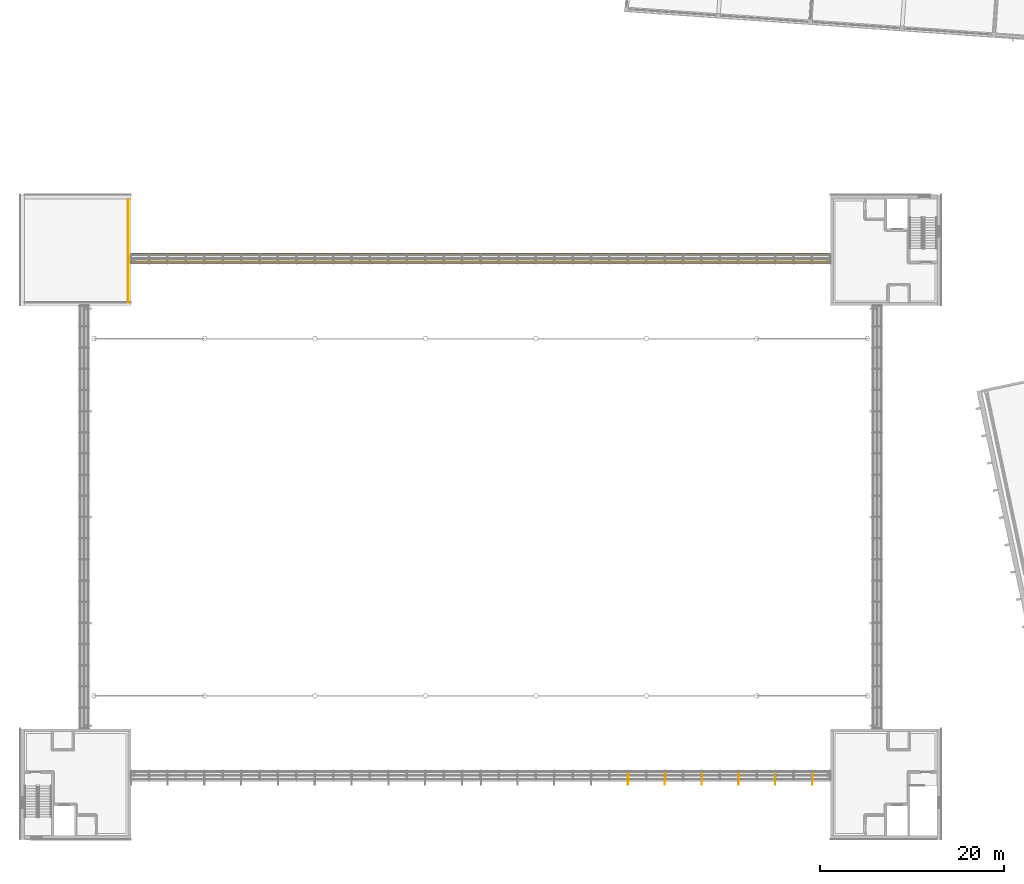
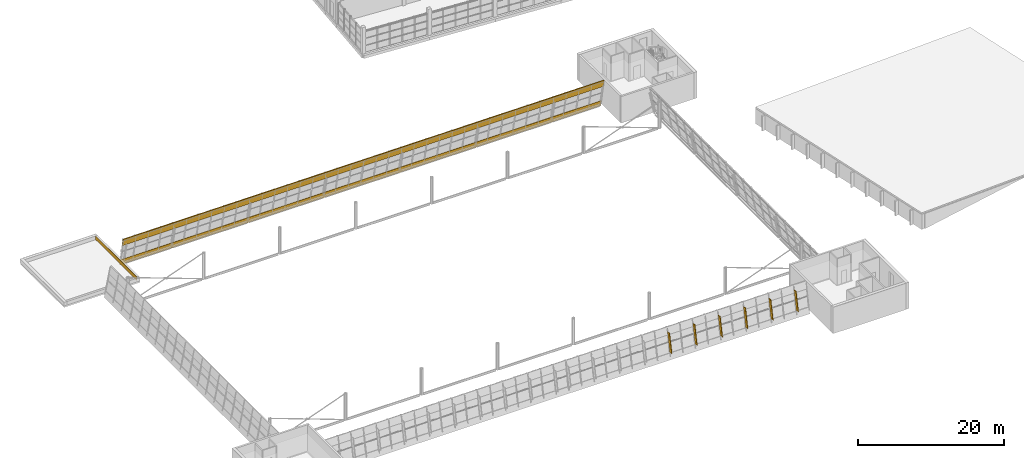
# One storey, part 45 of 50: 6 shading devices, 3 coverings.
"""IFC4 building model written with IfcOpenShell, lengths in metres."""

import ifcopenshell
import ifcopenshell.guid

model = None  # the IFC model being written
_history = None  # IfcOwnerHistory: only IFC2X3 demands one
_inside = {}  # id of a spatial element -> (the spatial element, [elements in it])
_under = {}  # id of a project, library or spatial element -> (it, [spatial elements below it])
_declared = {}  # id of a project -> (the project, [libraries it declares])
_typed = {}  # id of a type object -> (the type object, [elements of that type])
_made_of = {}  # id of a material, layer set ... -> (it, [elements and type objects made of it])


def new_model(schema):
    """Start an empty IFC model of exactly this schema.

    Asked for "IFC4X3", IfcOpenShell would pick the latest addendum, in which some entities
    have other attributes; the version numbers below select the first issue.
    IFC2X3 requires an IfcOwnerHistory on every rooted entity: one is made here for all.
    """
    global model, _history
    if schema == "IFC4X3":
        model = ifcopenshell.file(schema_version=(4, 3, 0, 0))
    else:
        model = ifcopenshell.file(schema=schema)
    _inside.clear()
    _under.clear()
    _declared.clear()
    _typed.clear()
    _made_of.clear()
    _history = None
    if model.schema == "IFC2X3":
        org = make("IfcOrganization", Name="unknown")
        user = make(
            "IfcPersonAndOrganization",
            ThePerson=make("IfcPerson", FamilyName="unknown"),
            TheOrganization=org,
        )
        app = make(
            "IfcApplication",
            ApplicationDeveloper=org,
            Version="unknown",
            ApplicationFullName="unknown",
            ApplicationIdentifier="unknown",
        )
        _history = make(
            "IfcOwnerHistory",
            OwningUser=user,
            OwningApplication=app,
            ChangeAction="ADDED",
            CreationDate=0,
        )
    return model


def make(cls, **values):
    """One entity of the class cls with the attributes given. An attribute that is None is left unset."""
    return model.create_entity(
        cls, **{name: value for name, value in values.items() if value is not None}
    )


def rooted(cls, **values):
    """An entity with a GlobalId (a new one), such as an element, a storey or a relation."""
    return make(cls, GlobalId=ifcopenshell.guid.new(), OwnerHistory=_history, **values)


def si_unit(unit_type, name, prefix=None):
    """IfcSIUnit, for example si_unit("LENGTHUNIT", "METRE", prefix="MILLI")."""
    return make("IfcSIUnit", UnitType=unit_type, Prefix=prefix, Name=name)


def assignment(units):
    """IfcUnitAssignment: the units of a project."""
    return None if units is None else make("IfcUnitAssignment", Units=units)


def point(xyz):
    """IfcCartesianPoint."""
    return None if xyz is None else make("IfcCartesianPoint", Coordinates=xyz)


def direction(xyz):
    """IfcDirection."""
    return None if xyz is None else make("IfcDirection", DirectionRatios=xyz)


def frame(location, z_axis=None, x_axis=None):
    """IfcAxis2Placement3D, a coordinate frame: its origin and axes. An axis left out is left unset."""
    return make(
        "IfcAxis2Placement3D",
        Location=point(location),
        Axis=direction(z_axis),
        RefDirection=direction(x_axis),
    )


def frame_2d(location, x_axis=None):
    """IfcAxis2Placement2D, a coordinate frame in the plane: its origin and x axis."""
    return make(
        "IfcAxis2Placement2D", Location=point(location), RefDirection=direction(x_axis)
    )


def origin():
    """The frame at (0, 0, 0) with its axes left unset."""
    return frame((0.0, 0.0, 0.0))


def origin_2d():
    """The frame at (0, 0) in the plane with its x axis left unset."""
    return frame_2d((0.0, 0.0))


def place(relative_to, where):
    """IfcLocalPlacement: puts the frame where relative to a parent placement (None: the world)."""
    return make(
        "IfcLocalPlacement", PlacementRelTo=relative_to, RelativePlacement=where
    )


def context(
    kind, dimensions, precision=None, world=None, true_north=None, identifier=None
):
    """IfcGeometricRepresentationContext, for example the 3D "Model" context."""
    return make(
        "IfcGeometricRepresentationContext",
        ContextIdentifier=identifier,
        ContextType=kind,
        CoordinateSpaceDimension=dimensions,
        Precision=precision,
        WorldCoordinateSystem=world,
        TrueNorth=true_north,
    )


def subcontext(parent, identifier, kind, view, scale=None):
    """IfcGeometricRepresentationSubContext, for example "Body" below "Model"."""
    return make(
        "IfcGeometricRepresentationSubContext",
        ContextIdentifier=identifier,
        ContextType=kind,
        ParentContext=parent,
        TargetScale=scale,
        TargetView=view,
    )


def project(units=None, contexts=None):
    """IfcProject with its units and contexts."""
    return rooted(
        "IfcProject",
        Name="project",
        RepresentationContexts=contexts,
        UnitsInContext=assignment(units),
    )


def spatial(cls, under=None, at=None, **own):
    """A site, building, storey or space (cls), placed at a placement, below another one or the project."""
    s = rooted(cls, ObjectPlacement=at, **own)
    if under is not None:
        _under.setdefault(under.id(), (under, []))[1].append(s)
    return s


def polyline(points):
    """IfcPolyline through the points."""
    return make("IfcPolyline", Points=[point(p) for p in points])


def profile(cls, at=None, kind="AREA", **sizes):
    """A parametric profile (cls). Its sizes go by their IFC names, for example OverallWidth=200.0."""
    return make(cls, ProfileType=kind, Position=at, **sizes)


def rectangle(**sizes):
    """IfcRectangleProfileDef."""
    return profile("IfcRectangleProfileDef", **sizes)


def outline(outer, holes=None, kind="AREA"):
    """IfcArbitraryClosedProfileDef: a profile drawn as a closed curve; with holes, ...WithVoids."""
    if holes is None:
        return make("IfcArbitraryClosedProfileDef", ProfileType=kind, OuterCurve=outer)
    return make(
        "IfcArbitraryProfileDefWithVoids",
        ProfileType=kind,
        OuterCurve=outer,
        InnerCurves=holes,
    )


def extrude(swept, where, along, depth):
    """IfcExtrudedAreaSolid: the profile swept, set in the frame where, extruded along a direction by depth."""
    return make(
        "IfcExtrudedAreaSolid",
        SweptArea=swept,
        Position=where,
        ExtrudedDirection=direction(along),
        Depth=depth,
    )


def shape(context_of_items, identifier, shape_type, items):
    """IfcShapeRepresentation: the items that make up one representation, for example the "Body"."""
    return make(
        "IfcShapeRepresentation",
        ContextOfItems=context_of_items,
        RepresentationIdentifier=identifier,
        RepresentationType=shape_type,
        Items=items,
    )


def material(Name=None, Category=None):
    """IfcMaterial."""
    return make("IfcMaterial", Name=Name, Category=Category)


def layer(
    of_material, thickness, ventilated=None, Name=None, Category=None, Priority=None
):
    """IfcMaterialLayer: one layer of a wall or slab, of a material (None: an air gap)."""
    return make(
        "IfcMaterialLayer",
        Material=of_material,
        LayerThickness=thickness,
        IsVentilated=ventilated,
        Name=Name,
        Category=Category,
        Priority=Priority,
    )


def layer_set(layers, Name=None):
    """IfcMaterialLayerSet."""
    return make("IfcMaterialLayerSet", MaterialLayers=layers, LayerSetName=Name)


def material_profile(
    of_material, cross_section, Name=None, Category=None, Priority=None
):
    """IfcMaterialProfile: a cross section and its material."""
    return make(
        "IfcMaterialProfile",
        Name=Name,
        Material=of_material,
        Profile=cross_section,
        Priority=Priority,
        Category=Category,
    )


def profile_set(profiles, Name=None, composite=None):
    """IfcMaterialProfileSet."""
    return make(
        "IfcMaterialProfileSet",
        Name=Name,
        MaterialProfiles=profiles,
        CompositeProfile=composite,
    )


def made_of(thing, what):
    """Note that an element or type object is made of a material, layer set ...; save() writes the relation."""
    if what is not None:
        _made_of.setdefault(what.id(), (what, []))[1].append(thing)
    return thing


def type_object(cls, material=None, **own):
    """A type object (cls), such as IfcWallType, which elements share."""
    return made_of(rooted(cls, **own), material)


def element(
    cls,
    number,
    at=None,
    inside=None,
    cuts=None,
    type_object=None,
    material=None,
    context=None,
    identifier="Body",
    shape_type=None,
    held_by="IfcProductDefinitionShape",
    body=None,
    shapes=None,
    **own,
):
    """One element of the class cls, such as IfcWall. Its Tag is "e" and its number.

    at: its placement. inside: the storey or other place that contains it. cuts: it is an
    opening in that element (IfcRelVoidsElement). A single representation is given by context,
    identifier, shape_type and body (its items); several are given by shapes. held_by: the class
    of the entity that holds the representations. save() writes the other relations.
    """
    e = rooted(cls, Tag="e%d" % number, ObjectPlacement=at, **own)
    if body is not None:
        shapes = [shape(context, identifier, shape_type, body)]
    if shapes is not None:
        e.Representation = make(held_by, Representations=shapes)
    if inside is not None:
        _inside.setdefault(inside.id(), (inside, []))[1].append(e)
    if cuts is not None:
        rooted(
            "IfcRelVoidsElement", RelatingBuildingElement=cuts, RelatedOpeningElement=e
        )
    if type_object is not None:
        _typed.setdefault(type_object.id(), (type_object, []))[1].append(e)
    return made_of(e, material)


def aggregate(whole, parts):
    """IfcRelAggregates: a whole, such as a stair, and the parts it consists of."""
    return rooted("IfcRelAggregates", RelatingObject=whole, RelatedObjects=parts)


def save(model, path):
    """Write the relations noted so far, then the file.

    IfcRelAggregates (storeys below a building ...), IfcRelContainedInSpatialStructure (elements
    in a storey), IfcRelDefinesByType, IfcRelAssociatesMaterial and IfcRelDeclares: one each for
    every whole, place, type object, material and project.
    """
    for whole, parts in _under.values():
        aggregate(whole, parts)
    for where, things in _inside.values():
        rooted(
            "IfcRelContainedInSpatialStructure",
            RelatedElements=things,
            RelatingStructure=where,
        )
    for kind, things in _typed.values():
        rooted("IfcRelDefinesByType", RelatedObjects=things, RelatingType=kind)
    for what, things in _made_of.values():
        rooted("IfcRelAssociatesMaterial", RelatedObjects=things, RelatingMaterial=what)
    for by, libraries in _declared.values():
        rooted("IfcRelDeclares", RelatingContext=by, RelatedDefinitions=libraries)
    model.write(path)


model = new_model("IFC4")

# Units and contexts
model_context = context("Model", 3, precision=1e-05, world=origin(), true_north=direction((0.0, 1.0)))
body_context = subcontext(model_context, "Body", "Model", "MODEL_VIEW")
ifc_project = project(units=[si_unit("LENGTHUNIT", "METRE"), si_unit("AREAUNIT", "SQUARE_METRE"), si_unit("VOLUMEUNIT", "CUBIC_METRE"), si_unit("PLANEANGLEUNIT", "RADIAN"), si_unit("MASSUNIT", "GRAM", prefix="KILO")], contexts=[model_context])

# Site, building, storey
site_placement = place(None, origin())
site = spatial("IfcSite", under=ifc_project, at=site_placement, CompositionType="ELEMENT")
building_placement = place(site_placement, origin())
building = spatial("IfcBuilding", under=site, at=building_placement, Name="Windward Yard Aquatics Centre", CompositionType="ELEMENT")
storey_placement = place(building_placement, frame((0.0, 0.0, 18.199951171875)))
storey = spatial("IfcBuildingStorey", under=building, at=storey_placement, Name="L04", CompositionType="ELEMENT", Elevation=18.199951171875)

# Shading devices
ifc_material_1 = material(Name="Aluminium plate 6061-T6 anodised", Category="aluminium")
ifc_material_profile = material_profile(ifc_material_1, rectangle(XDim=0.011962890625, YDim=0.60009765625, at=origin_2d()), Name="H eave fin aluminium 12x600")
ifc_profile_set = profile_set([ifc_material_profile], Name="Aluminium plate 6061-T6 anodised")
shading_device_type = type_object("IfcShadingDeviceType", Name="H eave fin aluminium 12x600", PredefinedType="USERDEFINED", material=ifc_profile_set)
for number, where, z_axis, x_axis, name in (
    (1, (118.0029296875, 32.24267578125, 0.665771484375), (0.0, 0.199392753215, 0.979919654852), (-1.0, 0.0, 0.0), "Eave fin S B5"),
    (2, (122.00244140625, 32.24267578125, 0.665771484375), (0.0, 0.199392753215, 0.979919654852), (-1.0, 0.0, 0.0), "Eave fin S B6"),
    (3, (126.001953125, 32.24267578125, 0.665771484375), (0.0, 0.199392753215, 0.979919654852), (-1.0, 0.0, 0.0), "Eave fin S B7"),
    (4, (130.001220703125, 32.24267578125, 0.665771484375), (0.0, 0.199392753215, 0.979919654852), (-1.0, 0.0, 0.0), "Eave fin S B8"),
    (5, (134.000732421875, 32.24267578125, 0.665771484375), (0.0, 0.199392753215, 0.979919654852), (-1.0, 0.0, 0.0), "Eave fin S B9"),
    (6, (138.000244140625, 32.24267578125, 0.665771484375), (0.0, 0.199392753215, 0.979919654852), (-1.0, 0.0, 0.0), "Eave fin S B10"),
):
    element("IfcShadingDevice", number, at=place(storey_placement, frame(where, z_axis=z_axis, x_axis=x_axis)), inside=storey, type_object=shading_device_type, Name=name, ObjectType="FIN", PredefinedType="USERDEFINED", context=body_context, shape_type="SweptSolid", body=[
        extrude(rectangle(XDim=0.011962890625, YDim=0.60009765625, at=origin_2d()), origin(), (0.0, 0.0, 1.0), 3.136962890625),
    ])

# Coverings
ifc_material_2 = material(Name="Natural limestone cladding", Category="masonry")
ifc_layer_1 = layer(ifc_material_2, 0.0400390625)
ifc_layer_set_1 = layer_set([ifc_layer_1], Name="H natural stone cladding 40")
covering_type_1 = type_object("IfcCoveringType", Name="H natural stone cladding 40", PredefinedType="CLADDING", material=ifc_layer_set_1)
covering_1_placement = place(storey_placement, frame((0.0, 0.0, 0.25)))
element("IfcCovering", 7, at=covering_1_placement, inside=storey, type_object=covering_type_1, Name="Stone cladding panel 4", PredefinedType="CLADDING", context=body_context, shape_type="SweptSolid", body=[
    extrude(outline(polyline([(63.659912109375, 84.300048828125), (63.659912109375, 95.550048828125), (63.699951171875, 95.550048828125), (63.699951171875, 84.300048828125), (63.659912109375, 84.300048828125)])), origin(), (0.0, 0.0, 1.0), 0.60009765625),
])
ifc_layer_2 = layer(ifc_material_2, 0.125)
ifc_layer_set_2 = layer_set([ifc_layer_2], Name="H tier stone band 125")
covering_type_2 = type_object("IfcCoveringType", Name="H tier stone band 125", PredefinedType="CLADDING", material=ifc_layer_set_2)
covering_2_placement = place(storey_placement, frame((64.0, 96.0, 4.400146484375), z_axis=(1.0, 0.0, 0.0), x_axis=(0.0, 1.0, 0.0)))
element("IfcCovering", 8, at=covering_2_placement, inside=storey, type_object=covering_type_2, Name="Tier 2 edge fascia N", PredefinedType="CLADDING", context=body_context, shape_type="SweptSolid", body=[
    extrude(outline(polyline([(-7.064453125, -1.199951171875), (-7.19189453125, -1.199951171875), (-7.43603515625, 0.0), (-7.30859375, 0.0), (-7.064453125, -1.199951171875)])), origin(), (0.0, 0.0, 1.0), 76.0),
])
covering_3_placement = place(storey_placement, frame((64.0, 96.0, 4.400146484375), z_axis=(1.0, 0.0, 0.0), x_axis=(0.0, 1.0, 0.0)))
element("IfcCovering", 9, at=covering_3_placement, inside=storey, type_object=covering_type_2, Name="Tier 2 spandrel band N", PredefinedType="CLADDING", context=body_context, shape_type="SweptSolid", body=[
    extrude(outline(polyline([(-6.3115234375, -4.89990234375), (-6.439208984375, -4.89990234375), (-6.642578125, -3.89990234375), (-6.51513671875, -3.89990234375), (-6.3115234375, -4.89990234375)])), origin(), (0.0, 0.0, 1.0), 76.0),
])

save(model, "model.ifc")
